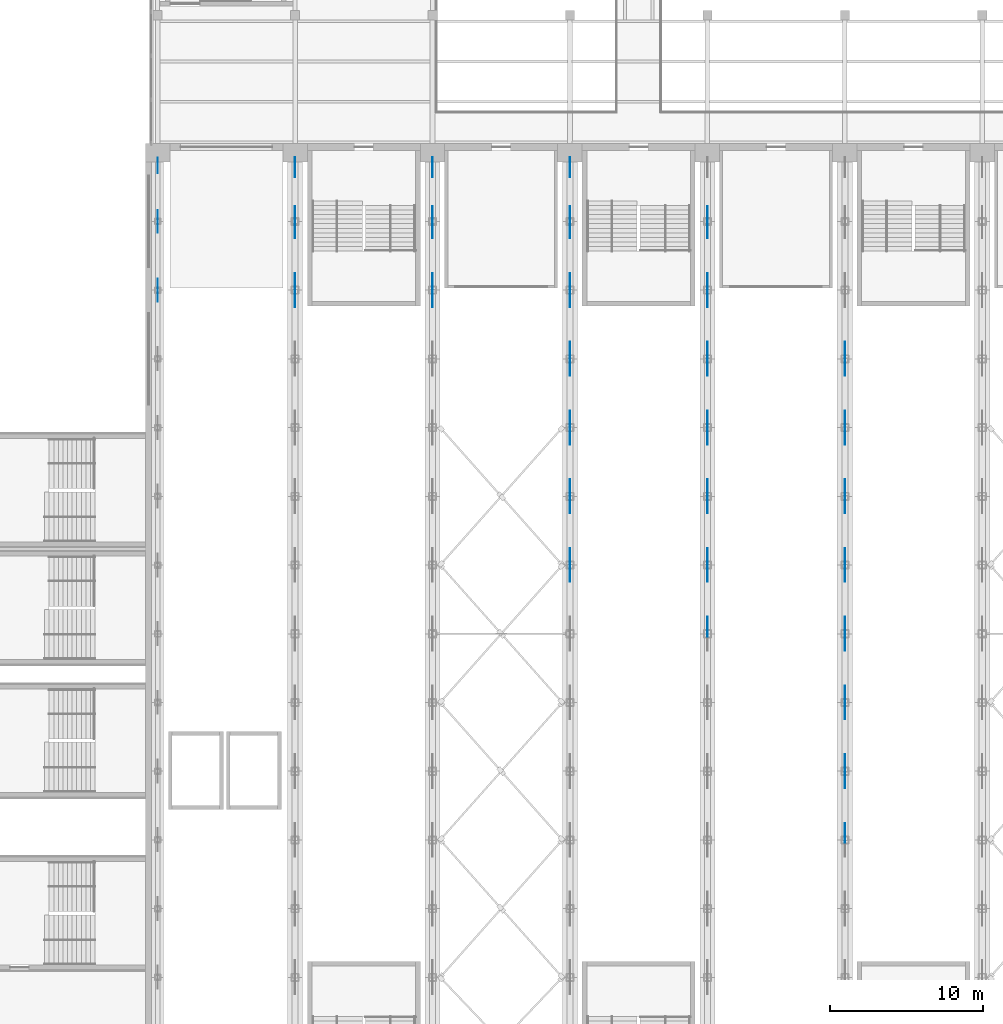
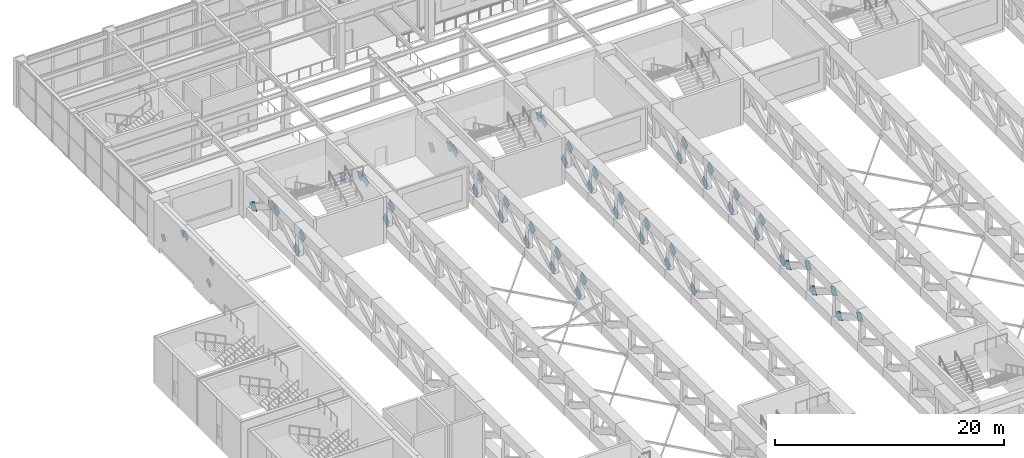
# One storey, part 55 of 76: 56 discrete accessories.
"""IFC4 building model written with IfcOpenShell, lengths in metres."""

from ifc_helpers import new_model, si_unit, direction, frame, origin, place, context, subcontext, project, spatial, polyline, outline, extrude, material, layer, layer_set, type_object, element, save


model = new_model("IFC4")

# Units and contexts
model_context = context("Model", 3, precision=1e-05, world=origin(), true_north=direction((0.0, 1.0)))
body_context = subcontext(model_context, "Body", "Model", "MODEL_VIEW")
ifc_project = project(units=[si_unit("LENGTHUNIT", "METRE"), si_unit("AREAUNIT", "SQUARE_METRE"), si_unit("VOLUMEUNIT", "CUBIC_METRE"), si_unit("PLANEANGLEUNIT", "RADIAN"), si_unit("MASSUNIT", "GRAM", prefix="KILO")], contexts=[model_context])

# Site, building, storey
site_placement = place(None, origin())
site = spatial("IfcSite", under=ifc_project, at=site_placement, CompositionType="ELEMENT")
building_placement = place(site_placement, origin())
building = spatial("IfcBuilding", under=site, at=building_placement, Name="Aravalli Gate Trade Fair Centre", CompositionType="ELEMENT")
storey_placement = place(building_placement, frame((0.0, 0.0, 10.0)))
storey = spatial("IfcBuildingStorey", under=building, at=storey_placement, Name="L02", CompositionType="ELEMENT", Elevation=10.0)

# Discrete accessories
ifc_material = material(Name="Steel E350", Category="steel")
ifc_layer_1 = layer(ifc_material, 0.01611328125)
ifc_layer_set_1 = layer_set([ifc_layer_1], Name="Steel E350")
discrete_accessory_type_1 = type_object("IfcDiscreteAccessoryType", Name="Gusset plate 675 x 675 x 16", PredefinedType="USERDEFINED", material=ifc_layer_set_1)
for number, where, z_axis, x_axis, name in (
    (1, (5.991943359375, 99.249755859375, 3.617919921875), (-1.0, 0.0, 0.0), (0.0, 0.840505607678, 0.541802845565), "Gusset plate FT2 line 1 diagonal 12 end A"),
    (2, (5.991943359375, 103.749755859375, 3.617919921875), (-1.0, 0.0, 0.0), (0.0, 0.840505607678, 0.541802845565), "Gusset plate FT2 line 1 diagonal 13 end A"),
):
    element("IfcDiscreteAccessory", number, at=place(storey_placement, frame(where, z_axis=z_axis, x_axis=x_axis)), inside=storey, type_object=discrete_accessory_type_1, Name=name, ObjectType="GUSSET PLATE", PredefinedType="USERDEFINED", context=body_context, shape_type="SweptSolid", body=[
        extrude(outline(polyline([(0.0, 0.0), (0.755218786408441, 0.0), (0.7549959059400588, 0.6749057353646954), (0.00011459718133527419, 0.674832809885664), (0.0, 0.0)])), origin(), (0.0, 0.0, -1.0), 0.01611328125),
    ])
discrete_accessory_1_placement = place(storey_placement, frame((6.008056640625, 100.384521484375, 1.44921875), z_axis=(1.0, 0.0, 0.0), x_axis=(0.0, -0.840557944742, -0.541721645803)))
element("IfcDiscreteAccessory", 3, at=discrete_accessory_1_placement, inside=storey, type_object=discrete_accessory_type_1, Name="Gusset plate FT2 line 1 diagonal 13 end B", ObjectType="GUSSET PLATE", PredefinedType="USERDEFINED", context=body_context, shape_type="SweptSolid", body=[
    extrude(outline(polyline([(0.0, 0.0), (0.7548813122812147, -5.551115123125783e-17), (0.755038993328129, 0.6749057537468108), (-0.0001797895562460905, 0.6748327956660154), (0.0, 0.0)])), origin(), (0.0, 0.0, -1.0), 0.01611328125),
])
discrete_accessory_2_placement = place(storey_placement, frame((6.008056640625, 107.656982421875, 0.931884765625), z_axis=(1.0, 0.0, 0.0), x_axis=(0.0, 0.80243851413, -0.596734807968)))
element("IfcDiscreteAccessory", 4, at=discrete_accessory_2_placement, inside=storey, type_object=discrete_accessory_type_1, Name="Gusset plate FT2 line 1 diagonal 14 end A", ObjectType="GUSSET PLATE", PredefinedType="USERDEFINED", context=body_context, shape_type="SweptSolid", body=[
    extrude(outline(polyline([(0.0, 0.0), (0.7548402525043576, 0.0), (0.7548082723853139, 0.675103392578611), (-3.1980119043650834e-05, 0.675103392578611), (0.0, 0.0)])), origin(), (0.0, 0.0, -1.0), 0.01611328125),
])
discrete_accessory_3_placement = place(storey_placement, frame((5.991943359375, 104.84033203125, 3.0263671875), z_axis=(-1.0, 0.0, 0.0), x_axis=(0.0, -0.802553641528, 0.596579963182)))
element("IfcDiscreteAccessory", 5, at=discrete_accessory_3_placement, inside=storey, type_object=discrete_accessory_type_1, Name="Gusset plate FT2 line 1 diagonal 14 end B", ObjectType="GUSSET PLATE", PredefinedType="USERDEFINED", context=body_context, shape_type="SweptSolid", body=[
    extrude(outline(polyline([(0.0, 0.0), (0.7550361744001823, -5.551115123125783e-17), (0.7549378906552952, 0.6751033861818379), (9.765220275143038e-05, 0.6749577367767641), (0.0, 0.0)])), origin(), (0.0, 0.0, -1.0), 0.01611328125),
])
ifc_layer_2 = layer(ifc_material, 0.02001953125)
ifc_layer_set_2 = layer_set([ifc_layer_2], Name="Steel E350")
discrete_accessory_type_2 = type_object("IfcDiscreteAccessoryType", Name="Gusset plate 900 x 900 x 20", PredefinedType="USERDEFINED", material=ifc_layer_set_2)
for number, where, z_axis, x_axis, name in (
    (6, (14.989990234375, 98.890625, 3.435546875), (-1.0, 0.0, 0.0), (0.0, 0.86388729855, 0.503685155037), "Gusset plate FT1 line 2 diagonal 12 end A"),
    (7, (14.989990234375, 103.390625, 3.435546875), (-1.0, 0.0, 0.0), (0.0, 0.86388729855, 0.503685155037), "Gusset plate FT1 line 2 diagonal 13 end A"),
):
    element("IfcDiscreteAccessory", number, at=place(storey_placement, frame(where, z_axis=z_axis, x_axis=x_axis)), inside=storey, type_object=discrete_accessory_type_2, Name=name, ObjectType="GUSSET PLATE", PredefinedType="USERDEFINED", context=body_context, shape_type="SweptSolid", body=[
        extrude(outline(polyline([(0.0, 0.0), (0.9800811852673053, 0.0), (0.980081550163473, 0.9001036081016202), (3.6489616778156986e-07, 0.9001036081016202), (0.0, 0.0)])), origin(), (0.0, 0.0, -1.0), 0.02001953125),
    ])
discrete_accessory_4_placement = place(storey_placement, frame((15.010009765625, 100.656005859375, 1.842041015625), z_axis=(1.0, 0.0, 0.0), x_axis=(0.0, -0.86388729855, -0.503685155037)))
element("IfcDiscreteAccessory", 8, at=discrete_accessory_4_placement, inside=storey, type_object=discrete_accessory_type_2, Name="Gusset plate FT1 line 2 diagonal 13 end B", ObjectType="GUSSET PLATE", PredefinedType="USERDEFINED", context=body_context, shape_type="SweptSolid", body=[
    extrude(outline(polyline([(0.0, 0.0), (0.9800811852673053, 0.0), (0.9800808203711375, 0.9001036081016202), (-3.6489616778156986e-07, 0.9001036081016202), (0.0, 0.0)])), origin(), (0.0, 0.0, -1.0), 0.02001953125),
])
discrete_accessory_5_placement = place(storey_placement, frame((15.010009765625, 107.3994140625, 1.10693359375), z_axis=(1.0, 0.0, 0.0), x_axis=(0.0, 0.841841417294, -0.539724955999)))
element("IfcDiscreteAccessory", 9, at=discrete_accessory_5_placement, inside=storey, type_object=discrete_accessory_type_2, Name="Gusset plate FT1 line 2 diagonal 14 end A", ObjectType="GUSSET PLATE", PredefinedType="USERDEFINED", context=body_context, shape_type="SweptSolid", body=[
    extrude(outline(polyline([(0.0, 0.0), (0.9802265552012132, 5.551115123125783e-17), (0.9800108119339646, 0.9000460685456917), (0.00012155321060602908, 0.8999723096440082), (0.0, 0.0)])), origin(), (0.0, 0.0, -1.0), 0.02001953125),
])
discrete_accessory_6_placement = place(storey_placement, frame((14.989990234375, 105.014892578125, 2.635498046875), z_axis=(-1.0, 0.0, 0.0), x_axis=(0.0, -0.841954580103, 0.539548408433)))
element("IfcDiscreteAccessory", 10, at=discrete_accessory_6_placement, inside=storey, type_object=discrete_accessory_type_2, Name="Gusset plate FT1 line 2 diagonal 14 end B", ObjectType="GUSSET PLATE", PredefinedType="USERDEFINED", context=body_context, shape_type="SweptSolid", body=[
    extrude(outline(polyline([(0.0, 0.0), (0.9800948079628956, 0.0), (0.9799162545865907, 0.9001778196834035), (-0.00010472374454933986, 0.8998405386803427), (0.0, 0.0)])), origin(), (0.0, 0.0, -1.0), 0.02001953125),
])
for number, where, z_axis, x_axis, name in (
    (11, (23.989990234375, 98.890625, 3.435546875), (-1.0, 0.0, 0.0), (0.0, 0.86388729855, 0.503685155037), "Gusset plate FT1 line 3 diagonal 12 end A"),
    (12, (23.989990234375, 103.390625, 3.435546875), (-1.0, 0.0, 0.0), (0.0, 0.86388729855, 0.503685155037), "Gusset plate FT1 line 3 diagonal 13 end A"),
):
    element("IfcDiscreteAccessory", number, at=place(storey_placement, frame(where, z_axis=z_axis, x_axis=x_axis)), inside=storey, type_object=discrete_accessory_type_2, Name=name, ObjectType="GUSSET PLATE", PredefinedType="USERDEFINED", context=body_context, shape_type="SweptSolid", body=[
        extrude(outline(polyline([(0.0, 0.0), (0.9800811852673053, 0.0), (0.980081550163473, 0.9001036081016202), (3.6489616778156986e-07, 0.9001036081016202), (0.0, 0.0)])), origin(), (0.0, 0.0, -1.0), 0.02001953125),
    ])
discrete_accessory_7_placement = place(storey_placement, frame((24.010009765625, 100.656005859375, 1.842041015625), z_axis=(1.0, 0.0, 0.0), x_axis=(0.0, -0.86388729855, -0.503685155037)))
element("IfcDiscreteAccessory", 13, at=discrete_accessory_7_placement, inside=storey, type_object=discrete_accessory_type_2, Name="Gusset plate FT1 line 3 diagonal 13 end B", ObjectType="GUSSET PLATE", PredefinedType="USERDEFINED", context=body_context, shape_type="SweptSolid", body=[
    extrude(outline(polyline([(0.0, 0.0), (0.9800811852673053, 0.0), (0.9800808203711375, 0.9001036081016202), (-3.6489616778156986e-07, 0.9001036081016202), (0.0, 0.0)])), origin(), (0.0, 0.0, -1.0), 0.02001953125),
])
discrete_accessory_8_placement = place(storey_placement, frame((24.010009765625, 107.3994140625, 1.10693359375), z_axis=(1.0, 0.0, 0.0), x_axis=(0.0, 0.841841417294, -0.539724955999)))
element("IfcDiscreteAccessory", 14, at=discrete_accessory_8_placement, inside=storey, type_object=discrete_accessory_type_2, Name="Gusset plate FT1 line 3 diagonal 14 end A", ObjectType="GUSSET PLATE", PredefinedType="USERDEFINED", context=body_context, shape_type="SweptSolid", body=[
    extrude(outline(polyline([(0.0, 0.0), (0.9802265552012132, 5.551115123125783e-17), (0.9800108119339646, 0.9000460685456917), (0.00012155321060602908, 0.8999723096440082), (0.0, 0.0)])), origin(), (0.0, 0.0, -1.0), 0.02001953125),
])
discrete_accessory_9_placement = place(storey_placement, frame((23.989990234375, 105.014892578125, 2.635498046875), z_axis=(-1.0, 0.0, 0.0), x_axis=(0.0, -0.841954580103, 0.539548408433)))
element("IfcDiscreteAccessory", 15, at=discrete_accessory_9_placement, inside=storey, type_object=discrete_accessory_type_2, Name="Gusset plate FT1 line 3 diagonal 14 end B", ObjectType="GUSSET PLATE", PredefinedType="USERDEFINED", context=body_context, shape_type="SweptSolid", body=[
    extrude(outline(polyline([(0.0, 0.0), (0.9800948079628956, 0.0), (0.9799162545865907, 0.9001778196834035), (-0.00010472374454933986, 0.8998405386803427), (0.0, 0.0)])), origin(), (0.0, 0.0, -1.0), 0.02001953125),
])
for number, where, z_axis, x_axis, name in (
    (16, (32.989990234375, 80.890625, 3.435546875), (-1.0, 0.0, 0.0), (0.0, 0.86388729855, 0.503685155037), "Gusset plate FT1 line 4 diagonal 8 end A"),
    (17, (32.989990234375, 85.390625, 3.435546875), (-1.0, 0.0, 0.0), (0.0, 0.86388729855, 0.503685155037), "Gusset plate FT1 line 4 diagonal 9 end A"),
):
    element("IfcDiscreteAccessory", number, at=place(storey_placement, frame(where, z_axis=z_axis, x_axis=x_axis)), inside=storey, type_object=discrete_accessory_type_2, Name=name, ObjectType="GUSSET PLATE", PredefinedType="USERDEFINED", context=body_context, shape_type="SweptSolid", body=[
        extrude(outline(polyline([(0.0, 0.0), (0.9800811852673053, 0.0), (0.980081550163473, 0.9001036081016202), (3.6489616778156986e-07, 0.9001036081016202), (0.0, 0.0)])), origin(), (0.0, 0.0, -1.0), 0.02001953125),
    ])
discrete_accessory_10_placement = place(storey_placement, frame((33.010009765625, 82.656005859375, 1.842041015625), z_axis=(1.0, 0.0, 0.0), x_axis=(0.0, -0.86388729855, -0.503685155037)))
element("IfcDiscreteAccessory", 18, at=discrete_accessory_10_placement, inside=storey, type_object=discrete_accessory_type_2, Name="Gusset plate FT1 line 4 diagonal 9 end B", ObjectType="GUSSET PLATE", PredefinedType="USERDEFINED", context=body_context, shape_type="SweptSolid", body=[
    extrude(outline(polyline([(0.0, 0.0), (0.9800811852673053, 0.0), (0.9800808203711375, 0.9001036081016202), (-3.6489616778156986e-07, 0.9001036081016202), (0.0, 0.0)])), origin(), (0.0, 0.0, -1.0), 0.02001953125),
])
discrete_accessory_11_placement = place(storey_placement, frame((32.989990234375, 89.890625, 3.435546875), z_axis=(-1.0, 0.0, 0.0), x_axis=(0.0, 0.86388729855, 0.503685155037)))
element("IfcDiscreteAccessory", 19, at=discrete_accessory_11_placement, inside=storey, type_object=discrete_accessory_type_2, Name="Gusset plate FT1 line 4 diagonal 10 end A", ObjectType="GUSSET PLATE", PredefinedType="USERDEFINED", context=body_context, shape_type="SweptSolid", body=[
    extrude(outline(polyline([(0.0, 0.0), (0.9800811852673053, 0.0), (0.980081550163473, 0.9001036081016202), (3.6489616778156986e-07, 0.9001036081016202), (0.0, 0.0)])), origin(), (0.0, 0.0, -1.0), 0.02001953125),
])
discrete_accessory_12_placement = place(storey_placement, frame((33.010009765625, 87.156005859375, 1.842041015625), z_axis=(1.0, 0.0, 0.0), x_axis=(0.0, -0.86388729855, -0.503685155037)))
element("IfcDiscreteAccessory", 20, at=discrete_accessory_12_placement, inside=storey, type_object=discrete_accessory_type_2, Name="Gusset plate FT1 line 4 diagonal 10 end B", ObjectType="GUSSET PLATE", PredefinedType="USERDEFINED", context=body_context, shape_type="SweptSolid", body=[
    extrude(outline(polyline([(0.0, 0.0), (0.9800811852673053, 0.0), (0.9800808203711375, 0.9001036081016202), (-3.6489616778156986e-07, 0.9001036081016202), (0.0, 0.0)])), origin(), (0.0, 0.0, -1.0), 0.02001953125),
])
discrete_accessory_13_placement = place(storey_placement, frame((32.989990234375, 94.390625, 3.435546875), z_axis=(-1.0, 0.0, 0.0), x_axis=(0.0, 0.86388729855, 0.503685155037)))
element("IfcDiscreteAccessory", 21, at=discrete_accessory_13_placement, inside=storey, type_object=discrete_accessory_type_2, Name="Gusset plate FT1 line 4 diagonal 11 end A", ObjectType="GUSSET PLATE", PredefinedType="USERDEFINED", context=body_context, shape_type="SweptSolid", body=[
    extrude(outline(polyline([(0.0, 0.0), (0.9800811852673053, 0.0), (0.980081550163473, 0.9001036081016202), (3.6489616778156986e-07, 0.9001036081016202), (0.0, 0.0)])), origin(), (0.0, 0.0, -1.0), 0.02001953125),
])
discrete_accessory_14_placement = place(storey_placement, frame((33.010009765625, 91.656005859375, 1.842041015625), z_axis=(1.0, 0.0, 0.0), x_axis=(0.0, -0.86388729855, -0.503685155037)))
element("IfcDiscreteAccessory", 22, at=discrete_accessory_14_placement, inside=storey, type_object=discrete_accessory_type_2, Name="Gusset plate FT1 line 4 diagonal 11 end B", ObjectType="GUSSET PLATE", PredefinedType="USERDEFINED", context=body_context, shape_type="SweptSolid", body=[
    extrude(outline(polyline([(0.0, 0.0), (0.9800811852673053, 0.0), (0.9800808203711375, 0.9001036081016202), (-3.6489616778156986e-07, 0.9001036081016202), (0.0, 0.0)])), origin(), (0.0, 0.0, -1.0), 0.02001953125),
])
discrete_accessory_15_placement = place(storey_placement, frame((32.989990234375, 98.890625, 3.435546875), z_axis=(-1.0, 0.0, 0.0), x_axis=(0.0, 0.86388729855, 0.503685155037)))
element("IfcDiscreteAccessory", 23, at=discrete_accessory_15_placement, inside=storey, type_object=discrete_accessory_type_2, Name="Gusset plate FT1 line 4 diagonal 12 end A", ObjectType="GUSSET PLATE", PredefinedType="USERDEFINED", context=body_context, shape_type="SweptSolid", body=[
    extrude(outline(polyline([(0.0, 0.0), (0.9800811852673053, 0.0), (0.980081550163473, 0.9001036081016202), (3.6489616778156986e-07, 0.9001036081016202), (0.0, 0.0)])), origin(), (0.0, 0.0, -1.0), 0.02001953125),
])
discrete_accessory_16_placement = place(storey_placement, frame((33.010009765625, 96.156005859375, 1.842041015625), z_axis=(1.0, 0.0, 0.0), x_axis=(0.0, -0.86388729855, -0.503685155037)))
element("IfcDiscreteAccessory", 24, at=discrete_accessory_16_placement, inside=storey, type_object=discrete_accessory_type_2, Name="Gusset plate FT1 line 4 diagonal 12 end B", ObjectType="GUSSET PLATE", PredefinedType="USERDEFINED", context=body_context, shape_type="SweptSolid", body=[
    extrude(outline(polyline([(0.0, 0.0), (0.9800811852673053, 0.0), (0.9800808203711375, 0.9001036081016202), (-3.6489616778156986e-07, 0.9001036081016202), (0.0, 0.0)])), origin(), (0.0, 0.0, -1.0), 0.02001953125),
])
discrete_accessory_17_placement = place(storey_placement, frame((32.989990234375, 103.390625, 3.435546875), z_axis=(-1.0, 0.0, 0.0), x_axis=(0.0, 0.86388729855, 0.503685155037)))
element("IfcDiscreteAccessory", 25, at=discrete_accessory_17_placement, inside=storey, type_object=discrete_accessory_type_2, Name="Gusset plate FT1 line 4 diagonal 13 end A", ObjectType="GUSSET PLATE", PredefinedType="USERDEFINED", context=body_context, shape_type="SweptSolid", body=[
    extrude(outline(polyline([(0.0, 0.0), (0.9800811852673053, 0.0), (0.980081550163473, 0.9001036081016202), (3.6489616778156986e-07, 0.9001036081016202), (0.0, 0.0)])), origin(), (0.0, 0.0, -1.0), 0.02001953125),
])
discrete_accessory_18_placement = place(storey_placement, frame((33.010009765625, 100.656005859375, 1.842041015625), z_axis=(1.0, 0.0, 0.0), x_axis=(0.0, -0.86388729855, -0.503685155037)))
element("IfcDiscreteAccessory", 26, at=discrete_accessory_18_placement, inside=storey, type_object=discrete_accessory_type_2, Name="Gusset plate FT1 line 4 diagonal 13 end B", ObjectType="GUSSET PLATE", PredefinedType="USERDEFINED", context=body_context, shape_type="SweptSolid", body=[
    extrude(outline(polyline([(0.0, 0.0), (0.9800811852673053, 0.0), (0.9800808203711375, 0.9001036081016202), (-3.6489616778156986e-07, 0.9001036081016202), (0.0, 0.0)])), origin(), (0.0, 0.0, -1.0), 0.02001953125),
])
discrete_accessory_19_placement = place(storey_placement, frame((33.010009765625, 107.3994140625, 1.10693359375), z_axis=(1.0, 0.0, 0.0), x_axis=(0.0, 0.841841417294, -0.539724955999)))
element("IfcDiscreteAccessory", 27, at=discrete_accessory_19_placement, inside=storey, type_object=discrete_accessory_type_2, Name="Gusset plate FT1 line 4 diagonal 14 end A", ObjectType="GUSSET PLATE", PredefinedType="USERDEFINED", context=body_context, shape_type="SweptSolid", body=[
    extrude(outline(polyline([(0.0, 0.0), (0.9802265552012132, 5.551115123125783e-17), (0.9800108119339646, 0.9000460685456917), (0.00012155321060602908, 0.8999723096440082), (0.0, 0.0)])), origin(), (0.0, 0.0, -1.0), 0.02001953125),
])
discrete_accessory_20_placement = place(storey_placement, frame((32.989990234375, 105.014892578125, 2.635498046875), z_axis=(-1.0, 0.0, 0.0), x_axis=(0.0, -0.841954580103, 0.539548408433)))
element("IfcDiscreteAccessory", 28, at=discrete_accessory_20_placement, inside=storey, type_object=discrete_accessory_type_2, Name="Gusset plate FT1 line 4 diagonal 14 end B", ObjectType="GUSSET PLATE", PredefinedType="USERDEFINED", context=body_context, shape_type="SweptSolid", body=[
    extrude(outline(polyline([(0.0, 0.0), (0.9800948079628956, 0.0), (0.9799162545865907, 0.9001778196834035), (-0.00010472374454933986, 0.8998405386803427), (0.0, 0.0)])), origin(), (0.0, 0.0, -1.0), 0.02001953125),
])
discrete_accessory_21_placement = place(storey_placement, frame((41.989990234375, 80.890625, 3.435546875), z_axis=(-1.0, 0.0, 0.0), x_axis=(0.0, 0.86388729855, 0.503685155037)))
element("IfcDiscreteAccessory", 29, at=discrete_accessory_21_placement, inside=storey, type_object=discrete_accessory_type_2, Name="Gusset plate FT1 line 5 diagonal 8 end A", ObjectType="GUSSET PLATE", PredefinedType="USERDEFINED", context=body_context, shape_type="SweptSolid", body=[
    extrude(outline(polyline([(0.0, 0.0), (0.9800811852673053, 0.0), (0.980081550163473, 0.9001036081016202), (3.6489616778156986e-07, 0.9001036081016202), (0.0, 0.0)])), origin(), (0.0, 0.0, -1.0), 0.02001953125),
])
discrete_accessory_22_placement = place(storey_placement, frame((42.010009765625, 78.156005859375, 1.842041015625), z_axis=(1.0, 0.0, 0.0), x_axis=(0.0, -0.86388729855, -0.503685155037)))
element("IfcDiscreteAccessory", 30, at=discrete_accessory_22_placement, inside=storey, type_object=discrete_accessory_type_2, Name="Gusset plate FT1 line 5 diagonal 8 end B", ObjectType="GUSSET PLATE", PredefinedType="USERDEFINED", context=body_context, shape_type="SweptSolid", body=[
    extrude(outline(polyline([(0.0, 0.0), (0.9800811852673053, 0.0), (0.9800808203711375, 0.9001036081016202), (-3.6489616778156986e-07, 0.9001036081016202), (0.0, 0.0)])), origin(), (0.0, 0.0, -1.0), 0.02001953125),
])
discrete_accessory_23_placement = place(storey_placement, frame((41.989990234375, 85.390625, 3.435546875), z_axis=(-1.0, 0.0, 0.0), x_axis=(0.0, 0.86388729855, 0.503685155037)))
element("IfcDiscreteAccessory", 31, at=discrete_accessory_23_placement, inside=storey, type_object=discrete_accessory_type_2, Name="Gusset plate FT1 line 5 diagonal 9 end A", ObjectType="GUSSET PLATE", PredefinedType="USERDEFINED", context=body_context, shape_type="SweptSolid", body=[
    extrude(outline(polyline([(0.0, 0.0), (0.9800811852673053, 0.0), (0.980081550163473, 0.9001036081016202), (3.6489616778156986e-07, 0.9001036081016202), (0.0, 0.0)])), origin(), (0.0, 0.0, -1.0), 0.02001953125),
])
discrete_accessory_24_placement = place(storey_placement, frame((42.010009765625, 82.656005859375, 1.842041015625), z_axis=(1.0, 0.0, 0.0), x_axis=(0.0, -0.86388729855, -0.503685155037)))
element("IfcDiscreteAccessory", 32, at=discrete_accessory_24_placement, inside=storey, type_object=discrete_accessory_type_2, Name="Gusset plate FT1 line 5 diagonal 9 end B", ObjectType="GUSSET PLATE", PredefinedType="USERDEFINED", context=body_context, shape_type="SweptSolid", body=[
    extrude(outline(polyline([(0.0, 0.0), (0.9800811852673053, 0.0), (0.9800808203711375, 0.9001036081016202), (-3.6489616778156986e-07, 0.9001036081016202), (0.0, 0.0)])), origin(), (0.0, 0.0, -1.0), 0.02001953125),
])
discrete_accessory_25_placement = place(storey_placement, frame((41.989990234375, 89.890625, 3.435546875), z_axis=(-1.0, 0.0, 0.0), x_axis=(0.0, 0.86388729855, 0.503685155037)))
element("IfcDiscreteAccessory", 33, at=discrete_accessory_25_placement, inside=storey, type_object=discrete_accessory_type_2, Name="Gusset plate FT1 line 5 diagonal 10 end A", ObjectType="GUSSET PLATE", PredefinedType="USERDEFINED", context=body_context, shape_type="SweptSolid", body=[
    extrude(outline(polyline([(0.0, 0.0), (0.9800811852673053, 0.0), (0.980081550163473, 0.9001036081016202), (3.6489616778156986e-07, 0.9001036081016202), (0.0, 0.0)])), origin(), (0.0, 0.0, -1.0), 0.02001953125),
])
discrete_accessory_26_placement = place(storey_placement, frame((42.010009765625, 87.156005859375, 1.842041015625), z_axis=(1.0, 0.0, 0.0), x_axis=(0.0, -0.86388729855, -0.503685155037)))
element("IfcDiscreteAccessory", 34, at=discrete_accessory_26_placement, inside=storey, type_object=discrete_accessory_type_2, Name="Gusset plate FT1 line 5 diagonal 10 end B", ObjectType="GUSSET PLATE", PredefinedType="USERDEFINED", context=body_context, shape_type="SweptSolid", body=[
    extrude(outline(polyline([(0.0, 0.0), (0.9800811852673053, 0.0), (0.9800808203711375, 0.9001036081016202), (-3.6489616778156986e-07, 0.9001036081016202), (0.0, 0.0)])), origin(), (0.0, 0.0, -1.0), 0.02001953125),
])
discrete_accessory_27_placement = place(storey_placement, frame((41.989990234375, 94.390625, 3.435546875), z_axis=(-1.0, 0.0, 0.0), x_axis=(0.0, 0.86388729855, 0.503685155037)))
element("IfcDiscreteAccessory", 35, at=discrete_accessory_27_placement, inside=storey, type_object=discrete_accessory_type_2, Name="Gusset plate FT1 line 5 diagonal 11 end A", ObjectType="GUSSET PLATE", PredefinedType="USERDEFINED", context=body_context, shape_type="SweptSolid", body=[
    extrude(outline(polyline([(0.0, 0.0), (0.9800811852673053, 0.0), (0.980081550163473, 0.9001036081016202), (3.6489616778156986e-07, 0.9001036081016202), (0.0, 0.0)])), origin(), (0.0, 0.0, -1.0), 0.02001953125),
])
discrete_accessory_28_placement = place(storey_placement, frame((42.010009765625, 91.656005859375, 1.842041015625), z_axis=(1.0, 0.0, 0.0), x_axis=(0.0, -0.86388729855, -0.503685155037)))
element("IfcDiscreteAccessory", 36, at=discrete_accessory_28_placement, inside=storey, type_object=discrete_accessory_type_2, Name="Gusset plate FT1 line 5 diagonal 11 end B", ObjectType="GUSSET PLATE", PredefinedType="USERDEFINED", context=body_context, shape_type="SweptSolid", body=[
    extrude(outline(polyline([(0.0, 0.0), (0.9800811852673053, 0.0), (0.9800808203711375, 0.9001036081016202), (-3.6489616778156986e-07, 0.9001036081016202), (0.0, 0.0)])), origin(), (0.0, 0.0, -1.0), 0.02001953125),
])
discrete_accessory_29_placement = place(storey_placement, frame((41.989990234375, 98.890625, 3.435546875), z_axis=(-1.0, 0.0, 0.0), x_axis=(0.0, 0.86388729855, 0.503685155037)))
element("IfcDiscreteAccessory", 37, at=discrete_accessory_29_placement, inside=storey, type_object=discrete_accessory_type_2, Name="Gusset plate FT1 line 5 diagonal 12 end A", ObjectType="GUSSET PLATE", PredefinedType="USERDEFINED", context=body_context, shape_type="SweptSolid", body=[
    extrude(outline(polyline([(0.0, 0.0), (0.9800811852673053, 0.0), (0.980081550163473, 0.9001036081016202), (3.6489616778156986e-07, 0.9001036081016202), (0.0, 0.0)])), origin(), (0.0, 0.0, -1.0), 0.02001953125),
])
discrete_accessory_30_placement = place(storey_placement, frame((42.010009765625, 96.156005859375, 1.842041015625), z_axis=(1.0, 0.0, 0.0), x_axis=(0.0, -0.86388729855, -0.503685155037)))
element("IfcDiscreteAccessory", 38, at=discrete_accessory_30_placement, inside=storey, type_object=discrete_accessory_type_2, Name="Gusset plate FT1 line 5 diagonal 12 end B", ObjectType="GUSSET PLATE", PredefinedType="USERDEFINED", context=body_context, shape_type="SweptSolid", body=[
    extrude(outline(polyline([(0.0, 0.0), (0.9800811852673053, 0.0), (0.9800808203711375, 0.9001036081016202), (-3.6489616778156986e-07, 0.9001036081016202), (0.0, 0.0)])), origin(), (0.0, 0.0, -1.0), 0.02001953125),
])
discrete_accessory_31_placement = place(storey_placement, frame((41.989990234375, 103.390625, 3.435546875), z_axis=(-1.0, 0.0, 0.0), x_axis=(0.0, 0.86388729855, 0.503685155037)))
element("IfcDiscreteAccessory", 39, at=discrete_accessory_31_placement, inside=storey, type_object=discrete_accessory_type_2, Name="Gusset plate FT1 line 5 diagonal 13 end A", ObjectType="GUSSET PLATE", PredefinedType="USERDEFINED", context=body_context, shape_type="SweptSolid", body=[
    extrude(outline(polyline([(0.0, 0.0), (0.9800811852673053, 0.0), (0.980081550163473, 0.9001036081016202), (3.6489616778156986e-07, 0.9001036081016202), (0.0, 0.0)])), origin(), (0.0, 0.0, -1.0), 0.02001953125),
])
discrete_accessory_32_placement = place(storey_placement, frame((42.010009765625, 100.656005859375, 1.842041015625), z_axis=(1.0, 0.0, 0.0), x_axis=(0.0, -0.86388729855, -0.503685155037)))
element("IfcDiscreteAccessory", 40, at=discrete_accessory_32_placement, inside=storey, type_object=discrete_accessory_type_2, Name="Gusset plate FT1 line 5 diagonal 13 end B", ObjectType="GUSSET PLATE", PredefinedType="USERDEFINED", context=body_context, shape_type="SweptSolid", body=[
    extrude(outline(polyline([(0.0, 0.0), (0.9800811852673053, 0.0), (0.9800808203711375, 0.9001036081016202), (-3.6489616778156986e-07, 0.9001036081016202), (0.0, 0.0)])), origin(), (0.0, 0.0, -1.0), 0.02001953125),
])
discrete_accessory_33_placement = place(storey_placement, frame((41.989990234375, 105.014892578125, 2.635498046875), z_axis=(-1.0, 0.0, 0.0), x_axis=(0.0, -0.841954580103, 0.539548408433)))
element("IfcDiscreteAccessory", 41, at=discrete_accessory_33_placement, inside=storey, type_object=discrete_accessory_type_2, Name="Gusset plate FT1 line 5 diagonal 14 end B", ObjectType="GUSSET PLATE", PredefinedType="USERDEFINED", context=body_context, shape_type="SweptSolid", body=[
    extrude(outline(polyline([(0.0, 0.0), (0.9800948079628956, 0.0), (0.9799162545865907, 0.9001778196834035), (-0.00010472374454933986, 0.8998405386803427), (0.0, 0.0)])), origin(), (0.0, 0.0, -1.0), 0.02001953125),
])
discrete_accessory_34_placement = place(storey_placement, frame((50.989990234375, 64.656005859375, 2.657958984375), z_axis=(-1.0, 0.0, 0.0), x_axis=(0.0, -0.86388729855, 0.503685155037)))
element("IfcDiscreteAccessory", 42, at=discrete_accessory_34_placement, inside=storey, type_object=discrete_accessory_type_2, Name="Gusset plate FT1 line 6 diagonal 5 end A", ObjectType="GUSSET PLATE", PredefinedType="USERDEFINED", context=body_context, shape_type="SweptSolid", body=[
    extrude(outline(polyline([(0.0, 0.0), (0.9800811852673053, 0.0), (0.9800808203711375, 0.9001036081016202), (-3.6489616778156986e-07, 0.9001036081016202), (0.0, 0.0)])), origin(), (0.0, 0.0, -1.0), 0.02001953125),
])
discrete_accessory_35_placement = place(storey_placement, frame((51.010009765625, 67.390625, 1.064453125), z_axis=(1.0, 0.0, 0.0), x_axis=(0.0, 0.86388729855, -0.503685155037)))
element("IfcDiscreteAccessory", 43, at=discrete_accessory_35_placement, inside=storey, type_object=discrete_accessory_type_2, Name="Gusset plate FT1 line 6 diagonal 5 end B", ObjectType="GUSSET PLATE", PredefinedType="USERDEFINED", context=body_context, shape_type="SweptSolid", body=[
    extrude(outline(polyline([(0.0, 0.0), (0.9800811852673053, 0.0), (0.980081550163473, 0.9001036081016202), (3.6489616778156986e-07, 0.9001036081016202), (0.0, 0.0)])), origin(), (0.0, 0.0, -1.0), 0.02001953125),
])
discrete_accessory_36_placement = place(storey_placement, frame((50.989990234375, 69.156005859375, 2.657958984375), z_axis=(-1.0, 0.0, 0.0), x_axis=(0.0, -0.86388729855, 0.503685155037)))
element("IfcDiscreteAccessory", 44, at=discrete_accessory_36_placement, inside=storey, type_object=discrete_accessory_type_2, Name="Gusset plate FT1 line 6 diagonal 6 end A", ObjectType="GUSSET PLATE", PredefinedType="USERDEFINED", context=body_context, shape_type="SweptSolid", body=[
    extrude(outline(polyline([(0.0, 0.0), (0.9800811852673053, 0.0), (0.9800808203711375, 0.9001036081016202), (-3.6489616778156986e-07, 0.9001036081016202), (0.0, 0.0)])), origin(), (0.0, 0.0, -1.0), 0.02001953125),
])
discrete_accessory_37_placement = place(storey_placement, frame((51.010009765625, 71.890625, 1.064453125), z_axis=(1.0, 0.0, 0.0), x_axis=(0.0, 0.86388729855, -0.503685155037)))
element("IfcDiscreteAccessory", 45, at=discrete_accessory_37_placement, inside=storey, type_object=discrete_accessory_type_2, Name="Gusset plate FT1 line 6 diagonal 6 end B", ObjectType="GUSSET PLATE", PredefinedType="USERDEFINED", context=body_context, shape_type="SweptSolid", body=[
    extrude(outline(polyline([(0.0, 0.0), (0.9800811852673053, 0.0), (0.980081550163473, 0.9001036081016202), (3.6489616778156986e-07, 0.9001036081016202), (0.0, 0.0)])), origin(), (0.0, 0.0, -1.0), 0.02001953125),
])
discrete_accessory_38_placement = place(storey_placement, frame((50.989990234375, 73.656005859375, 2.657958984375), z_axis=(-1.0, 0.0, 0.0), x_axis=(0.0, -0.86388729855, 0.503685155037)))
element("IfcDiscreteAccessory", 46, at=discrete_accessory_38_placement, inside=storey, type_object=discrete_accessory_type_2, Name="Gusset plate FT1 line 6 diagonal 7 end A", ObjectType="GUSSET PLATE", PredefinedType="USERDEFINED", context=body_context, shape_type="SweptSolid", body=[
    extrude(outline(polyline([(0.0, 0.0), (0.9800811852673053, 0.0), (0.9800808203711375, 0.9001036081016202), (-3.6489616778156986e-07, 0.9001036081016202), (0.0, 0.0)])), origin(), (0.0, 0.0, -1.0), 0.02001953125),
])
for number, where, z_axis, x_axis, name in (
    (47, (51.010009765625, 76.390625, 1.064453125), (1.0, 0.0, 0.0), (0.0, 0.86388729855, -0.503685155037), "Gusset plate FT1 line 6 diagonal 7 end B"),
    (48, (50.989990234375, 80.890625, 3.435546875), (-1.0, 0.0, 0.0), (0.0, 0.86388729855, 0.503685155037), "Gusset plate FT1 line 6 diagonal 8 end A"),
):
    element("IfcDiscreteAccessory", number, at=place(storey_placement, frame(where, z_axis=z_axis, x_axis=x_axis)), inside=storey, type_object=discrete_accessory_type_2, Name=name, ObjectType="GUSSET PLATE", PredefinedType="USERDEFINED", context=body_context, shape_type="SweptSolid", body=[
        extrude(outline(polyline([(0.0, 0.0), (0.9800811852673053, 0.0), (0.980081550163473, 0.9001036081016202), (3.6489616778156986e-07, 0.9001036081016202), (0.0, 0.0)])), origin(), (0.0, 0.0, -1.0), 0.02001953125),
    ])
discrete_accessory_39_placement = place(storey_placement, frame((51.010009765625, 78.156005859375, 1.842041015625), z_axis=(1.0, 0.0, 0.0), x_axis=(0.0, -0.86388729855, -0.503685155037)))
element("IfcDiscreteAccessory", 49, at=discrete_accessory_39_placement, inside=storey, type_object=discrete_accessory_type_2, Name="Gusset plate FT1 line 6 diagonal 8 end B", ObjectType="GUSSET PLATE", PredefinedType="USERDEFINED", context=body_context, shape_type="SweptSolid", body=[
    extrude(outline(polyline([(0.0, 0.0), (0.9800811852673053, 0.0), (0.9800808203711375, 0.9001036081016202), (-3.6489616778156986e-07, 0.9001036081016202), (0.0, 0.0)])), origin(), (0.0, 0.0, -1.0), 0.02001953125),
])
discrete_accessory_40_placement = place(storey_placement, frame((50.989990234375, 85.390625, 3.435546875), z_axis=(-1.0, 0.0, 0.0), x_axis=(0.0, 0.86388729855, 0.503685155037)))
element("IfcDiscreteAccessory", 50, at=discrete_accessory_40_placement, inside=storey, type_object=discrete_accessory_type_2, Name="Gusset plate FT1 line 6 diagonal 9 end A", ObjectType="GUSSET PLATE", PredefinedType="USERDEFINED", context=body_context, shape_type="SweptSolid", body=[
    extrude(outline(polyline([(0.0, 0.0), (0.9800811852673053, 0.0), (0.980081550163473, 0.9001036081016202), (3.6489616778156986e-07, 0.9001036081016202), (0.0, 0.0)])), origin(), (0.0, 0.0, -1.0), 0.02001953125),
])
discrete_accessory_41_placement = place(storey_placement, frame((51.010009765625, 82.656005859375, 1.842041015625), z_axis=(1.0, 0.0, 0.0), x_axis=(0.0, -0.86388729855, -0.503685155037)))
element("IfcDiscreteAccessory", 51, at=discrete_accessory_41_placement, inside=storey, type_object=discrete_accessory_type_2, Name="Gusset plate FT1 line 6 diagonal 9 end B", ObjectType="GUSSET PLATE", PredefinedType="USERDEFINED", context=body_context, shape_type="SweptSolid", body=[
    extrude(outline(polyline([(0.0, 0.0), (0.9800811852673053, 0.0), (0.9800808203711375, 0.9001036081016202), (-3.6489616778156986e-07, 0.9001036081016202), (0.0, 0.0)])), origin(), (0.0, 0.0, -1.0), 0.02001953125),
])
discrete_accessory_42_placement = place(storey_placement, frame((50.989990234375, 89.890625, 3.435546875), z_axis=(-1.0, 0.0, 0.0), x_axis=(0.0, 0.86388729855, 0.503685155037)))
element("IfcDiscreteAccessory", 52, at=discrete_accessory_42_placement, inside=storey, type_object=discrete_accessory_type_2, Name="Gusset plate FT1 line 6 diagonal 10 end A", ObjectType="GUSSET PLATE", PredefinedType="USERDEFINED", context=body_context, shape_type="SweptSolid", body=[
    extrude(outline(polyline([(0.0, 0.0), (0.9800811852673053, 0.0), (0.980081550163473, 0.9001036081016202), (3.6489616778156986e-07, 0.9001036081016202), (0.0, 0.0)])), origin(), (0.0, 0.0, -1.0), 0.02001953125),
])
discrete_accessory_43_placement = place(storey_placement, frame((51.010009765625, 87.156005859375, 1.842041015625), z_axis=(1.0, 0.0, 0.0), x_axis=(0.0, -0.86388729855, -0.503685155037)))
element("IfcDiscreteAccessory", 53, at=discrete_accessory_43_placement, inside=storey, type_object=discrete_accessory_type_2, Name="Gusset plate FT1 line 6 diagonal 10 end B", ObjectType="GUSSET PLATE", PredefinedType="USERDEFINED", context=body_context, shape_type="SweptSolid", body=[
    extrude(outline(polyline([(0.0, 0.0), (0.9800811852673053, 0.0), (0.9800808203711375, 0.9001036081016202), (-3.6489616778156986e-07, 0.9001036081016202), (0.0, 0.0)])), origin(), (0.0, 0.0, -1.0), 0.02001953125),
])
discrete_accessory_44_placement = place(storey_placement, frame((50.989990234375, 94.390625, 3.435546875), z_axis=(-1.0, 0.0, 0.0), x_axis=(0.0, 0.86388729855, 0.503685155037)))
element("IfcDiscreteAccessory", 54, at=discrete_accessory_44_placement, inside=storey, type_object=discrete_accessory_type_2, Name="Gusset plate FT1 line 6 diagonal 11 end A", ObjectType="GUSSET PLATE", PredefinedType="USERDEFINED", context=body_context, shape_type="SweptSolid", body=[
    extrude(outline(polyline([(0.0, 0.0), (0.9800811852673053, 0.0), (0.980081550163473, 0.9001036081016202), (3.6489616778156986e-07, 0.9001036081016202), (0.0, 0.0)])), origin(), (0.0, 0.0, -1.0), 0.02001953125),
])
for number, where, z_axis, x_axis, name in (
    (55, (51.010009765625, 91.656005859375, 1.842041015625), (1.0, 0.0, 0.0), (0.0, -0.86388729855, -0.503685155037), "Gusset plate FT1 line 6 diagonal 11 end B"),
    (56, (51.010009765625, 96.156005859375, 1.842041015625), (1.0, 0.0, 0.0), (0.0, -0.86388729855, -0.503685155037), "Gusset plate FT1 line 6 diagonal 12 end B"),
):
    element("IfcDiscreteAccessory", number, at=place(storey_placement, frame(where, z_axis=z_axis, x_axis=x_axis)), inside=storey, type_object=discrete_accessory_type_2, Name=name, ObjectType="GUSSET PLATE", PredefinedType="USERDEFINED", context=body_context, shape_type="SweptSolid", body=[
        extrude(outline(polyline([(0.0, 0.0), (0.9800811852673053, 0.0), (0.9800808203711375, 0.9001036081016202), (-3.6489616778156986e-07, 0.9001036081016202), (0.0, 0.0)])), origin(), (0.0, 0.0, -1.0), 0.02001953125),
    ])

save(model, "model.ifc")
